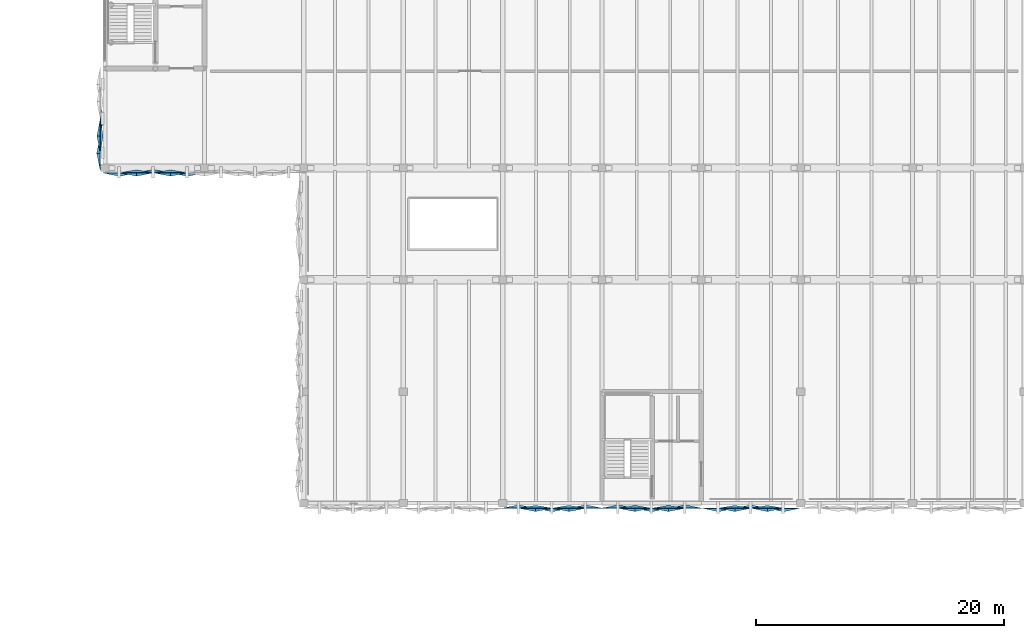
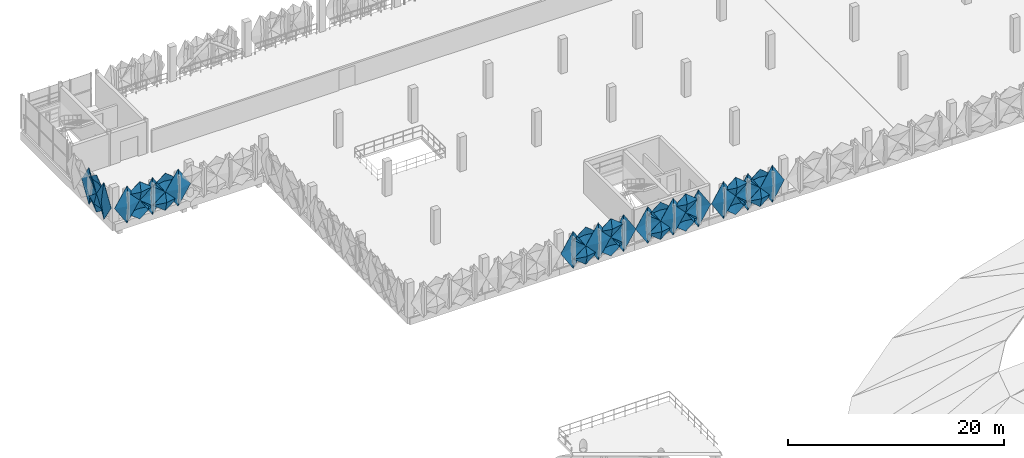
# One storey, part 37 of 52: 32 plates.
"""IFC4 building model written with IfcOpenShell, lengths in metres."""

from ifc_helpers import new_model, si_unit, derived_unit, direction, frame, origin, place, context, subcontext, project, spatial, polygons, material, layer, layer_set, type_object, element, save


model = new_model("IFC4")

# Units and contexts
model_context = context("Model", 3, precision=1e-05, world=origin(), true_north=direction((0.0, 1.0)))
body_context = subcontext(model_context, "Body", "Model", "MODEL_VIEW")
ifc_project = project(units=[si_unit("LENGTHUNIT", "METRE"), si_unit("AREAUNIT", "SQUARE_METRE"), si_unit("VOLUMEUNIT", "CUBIC_METRE"), si_unit("PLANEANGLEUNIT", "RADIAN"), si_unit("MASSUNIT", "GRAM", prefix="KILO"), si_unit("THERMODYNAMICTEMPERATUREUNIT", "KELVIN"), derived_unit("THERMALTRANSMITTANCEUNIT", [(si_unit("POWERUNIT", "WATT"), 1), (si_unit("AREAUNIT", "SQUARE_METRE"), -1), (si_unit("THERMODYNAMICTEMPERATUREUNIT", "KELVIN"), -1)])], contexts=[model_context])

# Site, building, storey
site_placement = place(None, origin())
site = spatial("IfcSite", under=ifc_project, at=site_placement, CompositionType="ELEMENT")
building_placement = place(site_placement, origin())
building = spatial("IfcBuilding", under=site, at=building_placement, Name="Haiyu Intermodal Mobility Hub", CompositionType="ELEMENT")
storey_placement = place(building_placement, frame((0.0, 0.0, 21.199951171875)))
storey = spatial("IfcBuildingStorey", under=building, at=storey_placement, Name="L05", CompositionType="ELEMENT", Elevation=21.199951171875)

# Plates
ifc_material = material(Name="Anodised aluminium 6063-T6", Category="aluminium")
ifc_layer_1 = layer(ifc_material, 0.01806640625)
ifc_layer_set_1 = layer_set([ifc_layer_1], Name="Anodised aluminium 6063-T6")
plate_type_1 = type_object("IfcPlateType", Name="PLT-FC03", PredefinedType="USERDEFINED", material=ifc_layer_set_1)
plate_1_placement = place(storey_placement, origin())
element("IfcPlate", 1, at=plate_1_placement, inside=storey, type_object=plate_type_1, Name="PLT-PYR-0775", ObjectType="FACADE CASSETTE", PredefinedType="USERDEFINED", context=body_context, shape_type="Tessellation", body=[
    polygons([(71.386962890625, 103.60009765625, -0.510009765625), (72.673095703125, 103.60009765625, 1.60009765625), (71.386962890625, 103.60009765625, 3.7099609375), (70.10009765625, 103.60009765625, 1.60009765625), (71.386962890625, 103.320068359375, 1.60009765625), (71.386962890625, 103.6220703125, -0.510009765625), (72.673095703125, 103.6220703125, 1.60009765625), (71.386962890625, 103.6220703125, 3.7099609375), (70.10009765625, 103.6220703125, 1.60009765625), (71.386962890625, 103.342041015625, 1.60009765625)], [[[1, 2, 5]], [[2, 3, 5]], [[3, 4, 5]], [[4, 1, 5]], [[7, 6, 10]], [[8, 7, 10]], [[9, 8, 10]], [[6, 9, 10]], [[1, 6, 7, 2]], [[2, 7, 8, 3]], [[3, 8, 9, 4]], [[4, 9, 6, 1]]], closed=True),
])
plate_2_placement = place(storey_placement, origin())
element("IfcPlate", 2, at=plate_2_placement, inside=storey, type_object=plate_type_1, Name="PLT-PYR-0779", ObjectType="FACADE CASSETTE", PredefinedType="USERDEFINED", context=body_context, shape_type="Tessellation", body=[
    polygons([(75.306884765625, 103.60009765625, -0.52001953125), (76.593017578125, 103.60009765625, 0.530029296875), (75.306884765625, 103.60009765625, 1.580078125), (74.02001953125, 103.60009765625, 0.530029296875), (75.306884765625, 103.340087890625, 0.530029296875), (75.306884765625, 103.6220703125, -0.52001953125), (76.593017578125, 103.6220703125, 0.530029296875), (75.306884765625, 103.6220703125, 1.580078125), (74.02001953125, 103.6220703125, 0.530029296875), (75.306884765625, 103.362060546875, 0.530029296875)], [[[1, 2, 5]], [[2, 3, 5]], [[3, 4, 5]], [[4, 1, 5]], [[7, 6, 10]], [[8, 7, 10]], [[9, 8, 10]], [[6, 9, 10]], [[1, 6, 7, 2]], [[2, 7, 8, 3]], [[3, 8, 9, 4]], [[4, 9, 6, 1]]], closed=True),
])
plate_3_placement = place(storey_placement, origin())
element("IfcPlate", 3, at=plate_3_placement, inside=storey, type_object=plate_type_1, Name="PLT-PYR-2247", ObjectType="FACADE CASSETTE", PredefinedType="USERDEFINED", context=body_context, shape_type="Tessellation", body=[
    polygons([(64.64990234375, 103.60009765625, -0.52001953125), (65.97998046875, 103.60009765625, 0.530029296875), (64.64990234375, 103.60009765625, 1.580078125), (63.320068359375, 103.60009765625, 0.530029296875), (64.64990234375, 103.340087890625, 0.530029296875), (64.64990234375, 103.6220703125, -0.52001953125), (65.97998046875, 103.6220703125, 0.530029296875), (64.64990234375, 103.6220703125, 1.580078125), (63.320068359375, 103.6220703125, 0.530029296875), (64.64990234375, 103.362060546875, 0.530029296875)], [[[1, 2, 5]], [[2, 3, 5]], [[3, 4, 5]], [[4, 1, 5]], [[7, 6, 10]], [[8, 7, 10]], [[9, 8, 10]], [[6, 9, 10]], [[1, 6, 7, 2]], [[2, 7, 8, 3]], [[3, 8, 9, 4]], [[4, 9, 6, 1]]], closed=True),
])
plate_4_placement = place(storey_placement, origin())
element("IfcPlate", 4, at=plate_4_placement, inside=storey, type_object=plate_type_1, Name="PLT-PYR-2320", ObjectType="FACADE CASSETTE", PredefinedType="USERDEFINED", context=body_context, shape_type="Tessellation", body=[
    polygons([(21.60009765625, 133.56689453125, -0.52001953125), (21.60009765625, 132.202880859375, 0.530029296875), (21.60009765625, 133.56689453125, 1.580078125), (21.60009765625, 134.929931640625, 0.530029296875), (21.340087890625, 133.56689453125, 0.530029296875), (21.6220703125, 133.56689453125, -0.52001953125), (21.6220703125, 132.202880859375, 0.530029296875), (21.6220703125, 133.56689453125, 1.580078125), (21.6220703125, 134.929931640625, 0.530029296875), (21.362060546875, 133.56689453125, 0.530029296875)], [[[1, 2, 5]], [[2, 3, 5]], [[3, 4, 5]], [[4, 1, 5]], [[7, 6, 10]], [[8, 7, 10]], [[9, 8, 10]], [[6, 9, 10]], [[1, 6, 7, 2]], [[2, 7, 8, 3]], [[3, 8, 9, 4]], [[4, 9, 6, 1]]], closed=True),
])
plate_5_placement = place(storey_placement, origin())
element("IfcPlate", 5, at=plate_5_placement, inside=storey, type_object=plate_type_1, Name="PLT-PYR-2419", ObjectType="FACADE CASSETTE", PredefinedType="USERDEFINED", context=body_context, shape_type="Tessellation", body=[
    polygons([(23.1669921875, 130.60009765625, -0.510009765625), (24.512939453125, 130.60009765625, 1.60009765625), (23.1669921875, 130.60009765625, 3.7099609375), (21.820068359375, 130.60009765625, 1.60009765625), (23.1669921875, 130.320068359375, 1.60009765625), (23.1669921875, 130.6220703125, -0.510009765625), (24.512939453125, 130.6220703125, 1.60009765625), (23.1669921875, 130.6220703125, 3.7099609375), (21.820068359375, 130.6220703125, 1.60009765625), (23.1669921875, 130.342041015625, 1.60009765625)], [[[1, 2, 5]], [[2, 3, 5]], [[3, 4, 5]], [[4, 1, 5]], [[7, 6, 10]], [[8, 7, 10]], [[9, 8, 10]], [[6, 9, 10]], [[1, 6, 7, 2]], [[2, 7, 8, 3]], [[3, 8, 9, 4]], [[4, 9, 6, 1]]], closed=True),
])
plate_6_placement = place(storey_placement, origin())
element("IfcPlate", 6, at=plate_6_placement, inside=storey, type_object=plate_type_1, Name="PLT-PYR-2423", ObjectType="FACADE CASSETTE", PredefinedType="USERDEFINED", context=body_context, shape_type="Tessellation", body=[
    polygons([(27.26708984375, 130.60009765625, -0.52001953125), (28.613037109375, 130.60009765625, 0.530029296875), (27.26708984375, 130.60009765625, 1.580078125), (25.919921875, 130.60009765625, 0.530029296875), (27.26708984375, 130.340087890625, 0.530029296875), (27.26708984375, 130.6220703125, -0.52001953125), (28.613037109375, 130.6220703125, 0.530029296875), (27.26708984375, 130.6220703125, 1.580078125), (25.919921875, 130.6220703125, 0.530029296875), (27.26708984375, 130.362060546875, 0.530029296875)], [[[1, 2, 5]], [[2, 3, 5]], [[3, 4, 5]], [[4, 1, 5]], [[7, 6, 10]], [[8, 7, 10]], [[9, 8, 10]], [[6, 9, 10]], [[1, 6, 7, 2]], [[2, 7, 8, 3]], [[3, 8, 9, 4]], [[4, 9, 6, 1]]], closed=True),
])
plate_7_placement = place(storey_placement, origin())
element("IfcPlate", 7, at=plate_7_placement, inside=storey, type_object=plate_type_1, Name="PLT-PYR-2571", ObjectType="FACADE CASSETTE", PredefinedType="USERDEFINED", context=body_context, shape_type="Tessellation", body=[
    polygons([(56.64990234375, 103.60009765625, -0.52001953125), (57.97998046875, 103.60009765625, 0.530029296875), (56.64990234375, 103.60009765625, 1.580078125), (55.320068359375, 103.60009765625, 0.530029296875), (56.64990234375, 103.340087890625, 0.530029296875), (56.64990234375, 103.6220703125, -0.52001953125), (57.97998046875, 103.6220703125, 0.530029296875), (56.64990234375, 103.6220703125, 1.580078125), (55.320068359375, 103.6220703125, 0.530029296875), (56.64990234375, 103.362060546875, 0.530029296875)], [[[1, 2, 5]], [[2, 3, 5]], [[3, 4, 5]], [[4, 1, 5]], [[7, 6, 10]], [[8, 7, 10]], [[9, 8, 10]], [[6, 9, 10]], [[1, 6, 7, 2]], [[2, 7, 8, 3]], [[3, 8, 9, 4]], [[4, 9, 6, 1]]], closed=True),
])
ifc_layer_2 = layer(ifc_material, 0.02001953125)
ifc_layer_set_2 = layer_set([ifc_layer_2], Name="Anodised aluminium 6063-T6")
plate_type_2 = type_object("IfcPlateType", Name="PLT-FC04", PredefinedType="USERDEFINED", material=ifc_layer_set_2)
plate_8_placement = place(storey_placement, origin())
element("IfcPlate", 8, at=plate_8_placement, inside=storey, type_object=plate_type_2, Name="PLT-PYR-0776", ObjectType="FACADE CASSETTE", PredefinedType="USERDEFINED", context=body_context, shape_type="Tessellation", body=[
    polygons([(72.693115234375, 103.60009765625, -0.52001953125), (73.97998046875, 103.60009765625, 0.530029296875), (72.693115234375, 103.60009765625, 1.580078125), (71.406982421875, 103.60009765625, 0.530029296875), (72.693115234375, 103.820068359375, 0.530029296875), (72.693115234375, 103.6220703125, -0.52001953125), (73.97998046875, 103.6220703125, 0.530029296875), (72.693115234375, 103.6220703125, 1.580078125), (71.406982421875, 103.6220703125, 0.530029296875), (72.693115234375, 103.842041015625, 0.530029296875)], [[[1, 2, 5]], [[2, 3, 5]], [[3, 4, 5]], [[4, 1, 5]], [[7, 6, 10]], [[8, 7, 10]], [[9, 8, 10]], [[6, 9, 10]], [[1, 6, 7, 2]], [[2, 7, 8, 3]], [[3, 8, 9, 4]], [[4, 9, 6, 1]]], closed=True),
])
plate_9_placement = place(storey_placement, origin())
element("IfcPlate", 9, at=plate_9_placement, inside=storey, type_object=plate_type_2, Name="PLT-PYR-2246", ObjectType="FACADE CASSETTE", PredefinedType="USERDEFINED", context=body_context, shape_type="Tessellation", body=[
    polygons([(63.300048828125, 103.60009765625, -0.510009765625), (64.6298828125, 103.60009765625, 1.60009765625), (63.300048828125, 103.60009765625, 3.7099609375), (61.969970703125, 103.60009765625, 1.60009765625), (63.300048828125, 103.860107421875, 1.60009765625), (63.300048828125, 103.6220703125, -0.510009765625), (64.6298828125, 103.6220703125, 1.60009765625), (63.300048828125, 103.6220703125, 3.7099609375), (61.969970703125, 103.6220703125, 1.60009765625), (63.300048828125, 103.882080078125, 1.60009765625)], [[[1, 2, 5]], [[2, 3, 5]], [[3, 4, 5]], [[4, 1, 5]], [[7, 6, 10]], [[8, 7, 10]], [[9, 8, 10]], [[6, 9, 10]], [[1, 6, 7, 2]], [[2, 7, 8, 3]], [[3, 8, 9, 4]], [[4, 9, 6, 1]]], closed=True),
])
plate_10_placement = place(storey_placement, origin())
element("IfcPlate", 10, at=plate_10_placement, inside=storey, type_object=plate_type_2, Name="PLT-PYR-2250", ObjectType="FACADE CASSETTE", PredefinedType="USERDEFINED", context=body_context, shape_type="Tessellation", body=[
    polygons([(67.35009765625, 103.60009765625, -0.52001953125), (68.679931640625, 103.60009765625, 0.530029296875), (67.35009765625, 103.60009765625, 1.580078125), (66.02001953125, 103.60009765625, 0.530029296875), (67.35009765625, 103.820068359375, 0.530029296875), (67.35009765625, 103.6220703125, -0.52001953125), (68.679931640625, 103.6220703125, 0.530029296875), (67.35009765625, 103.6220703125, 1.580078125), (66.02001953125, 103.6220703125, 0.530029296875), (67.35009765625, 103.842041015625, 0.530029296875)], [[[1, 2, 5]], [[2, 3, 5]], [[3, 4, 5]], [[4, 1, 5]], [[7, 6, 10]], [[8, 7, 10]], [[9, 8, 10]], [[6, 9, 10]], [[1, 6, 7, 2]], [[2, 7, 8, 3]], [[3, 8, 9, 4]], [[4, 9, 6, 1]]], closed=True),
])
plate_11_placement = place(storey_placement, origin())
element("IfcPlate", 11, at=plate_11_placement, inside=storey, type_object=plate_type_2, Name="PLT-PYR-2420", ObjectType="FACADE CASSETTE", PredefinedType="USERDEFINED", context=body_context, shape_type="Tessellation", body=[
    polygons([(24.532958984375, 130.60009765625, -0.52001953125), (25.8798828125, 130.60009765625, 0.530029296875), (24.532958984375, 130.60009765625, 1.580078125), (23.18701171875, 130.60009765625, 0.530029296875), (24.532958984375, 130.820068359375, 0.530029296875), (24.532958984375, 130.6220703125, -0.52001953125), (25.8798828125, 130.6220703125, 0.530029296875), (24.532958984375, 130.6220703125, 1.580078125), (23.18701171875, 130.6220703125, 0.530029296875), (24.532958984375, 130.842041015625, 0.530029296875)], [[[1, 2, 5]], [[2, 3, 5]], [[3, 4, 5]], [[4, 1, 5]], [[7, 6, 10]], [[8, 7, 10]], [[9, 8, 10]], [[6, 9, 10]], [[1, 6, 7, 2]], [[2, 7, 8, 3]], [[3, 8, 9, 4]], [[4, 9, 6, 1]]], closed=True),
])
plate_12_placement = place(storey_placement, origin())
element("IfcPlate", 12, at=plate_12_placement, inside=storey, type_object=plate_type_2, Name="PLT-PYR-2570", ObjectType="FACADE CASSETTE", PredefinedType="USERDEFINED", context=body_context, shape_type="Tessellation", body=[
    polygons([(55.300048828125, 103.60009765625, -0.510009765625), (56.6298828125, 103.60009765625, 1.60009765625), (55.300048828125, 103.60009765625, 3.7099609375), (53.969970703125, 103.60009765625, 1.60009765625), (55.300048828125, 103.860107421875, 1.60009765625), (55.300048828125, 103.6220703125, -0.510009765625), (56.6298828125, 103.6220703125, 1.60009765625), (55.300048828125, 103.6220703125, 3.7099609375), (53.969970703125, 103.6220703125, 1.60009765625), (55.300048828125, 103.882080078125, 1.60009765625)], [[[1, 2, 5]], [[2, 3, 5]], [[3, 4, 5]], [[4, 1, 5]], [[7, 6, 10]], [[8, 7, 10]], [[9, 8, 10]], [[6, 9, 10]], [[1, 6, 7, 2]], [[2, 7, 8, 3]], [[3, 8, 9, 4]], [[4, 9, 6, 1]]], closed=True),
])
plate_13_placement = place(storey_placement, origin())
element("IfcPlate", 13, at=plate_13_placement, inside=storey, type_object=plate_type_2, Name="PLT-PYR-2574", ObjectType="FACADE CASSETTE", PredefinedType="USERDEFINED", context=body_context, shape_type="Tessellation", body=[
    polygons([(59.35009765625, 103.60009765625, -0.52001953125), (60.679931640625, 103.60009765625, 0.530029296875), (59.35009765625, 103.60009765625, 1.580078125), (58.02001953125, 103.60009765625, 0.530029296875), (59.35009765625, 103.820068359375, 0.530029296875), (59.35009765625, 103.6220703125, -0.52001953125), (60.679931640625, 103.6220703125, 0.530029296875), (59.35009765625, 103.6220703125, 1.580078125), (58.02001953125, 103.6220703125, 0.530029296875), (59.35009765625, 103.842041015625, 0.530029296875)], [[[1, 2, 5]], [[2, 3, 5]], [[3, 4, 5]], [[4, 1, 5]], [[7, 6, 10]], [[8, 7, 10]], [[9, 8, 10]], [[6, 9, 10]], [[1, 6, 7, 2]], [[2, 7, 8, 3]], [[3, 8, 9, 4]], [[4, 9, 6, 1]]], closed=True),
])
ifc_layer_3 = layer(ifc_material, 0.01806640625)
ifc_layer_set_3 = layer_set([ifc_layer_3], Name="Anodised aluminium 6063-T6")
plate_type_3 = type_object("IfcPlateType", Name="PLT-FC05", PredefinedType="USERDEFINED", material=ifc_layer_set_3)
plate_14_placement = place(storey_placement, origin())
element("IfcPlate", 14, at=plate_14_placement, inside=storey, type_object=plate_type_3, Name="PLT-PYR-0777", ObjectType="FACADE CASSETTE", PredefinedType="USERDEFINED", context=body_context, shape_type="Tessellation", body=[
    polygons([(72.693115234375, 103.60009765625, 1.6201171875), (73.97998046875, 103.60009765625, 2.670166015625), (72.693115234375, 103.60009765625, 3.719970703125), (71.406982421875, 103.60009765625, 2.670166015625), (72.693115234375, 103.340087890625, 2.670166015625), (72.693115234375, 103.6220703125, 1.6201171875), (73.97998046875, 103.6220703125, 2.670166015625), (72.693115234375, 103.6220703125, 3.719970703125), (71.406982421875, 103.6220703125, 2.670166015625), (72.693115234375, 103.362060546875, 2.670166015625)], [[[1, 2, 5]], [[2, 3, 5]], [[3, 4, 5]], [[4, 1, 5]], [[7, 6, 10]], [[8, 7, 10]], [[9, 8, 10]], [[6, 9, 10]], [[1, 6, 7, 2]], [[2, 7, 8, 3]], [[3, 8, 9, 4]], [[4, 9, 6, 1]]], closed=True),
])
plate_15_placement = place(storey_placement, origin())
element("IfcPlate", 15, at=plate_15_placement, inside=storey, type_object=plate_type_3, Name="PLT-PYR-2249", ObjectType="FACADE CASSETTE", PredefinedType="USERDEFINED", context=body_context, shape_type="Tessellation", body=[
    polygons([(66.0, 103.60009765625, -0.510009765625), (67.330078125, 103.60009765625, 1.60009765625), (66.0, 103.60009765625, 3.7099609375), (64.669921875, 103.60009765625, 1.60009765625), (66.0, 103.320068359375, 1.60009765625), (66.0, 103.6220703125, -0.510009765625), (67.330078125, 103.6220703125, 1.60009765625), (66.0, 103.6220703125, 3.7099609375), (64.669921875, 103.6220703125, 1.60009765625), (66.0, 103.342041015625, 1.60009765625)], [[[1, 2, 5]], [[2, 3, 5]], [[3, 4, 5]], [[4, 1, 5]], [[7, 6, 10]], [[8, 7, 10]], [[9, 8, 10]], [[6, 9, 10]], [[1, 6, 7, 2]], [[2, 7, 8, 3]], [[3, 8, 9, 4]], [[4, 9, 6, 1]]], closed=True),
])
plate_16_placement = place(storey_placement, origin())
element("IfcPlate", 16, at=plate_16_placement, inside=storey, type_object=plate_type_3, Name="PLT-PYR-2251", ObjectType="FACADE CASSETTE", PredefinedType="USERDEFINED", context=body_context, shape_type="Tessellation", body=[
    polygons([(67.35009765625, 103.60009765625, 1.6201171875), (68.679931640625, 103.60009765625, 2.670166015625), (67.35009765625, 103.60009765625, 3.719970703125), (66.02001953125, 103.60009765625, 2.670166015625), (67.35009765625, 103.340087890625, 2.670166015625), (67.35009765625, 103.6220703125, 1.6201171875), (68.679931640625, 103.6220703125, 2.670166015625), (67.35009765625, 103.6220703125, 3.719970703125), (66.02001953125, 103.6220703125, 2.670166015625), (67.35009765625, 103.362060546875, 2.670166015625)], [[[1, 2, 5]], [[2, 3, 5]], [[3, 4, 5]], [[4, 1, 5]], [[7, 6, 10]], [[8, 7, 10]], [[9, 8, 10]], [[6, 9, 10]], [[1, 6, 7, 2]], [[2, 7, 8, 3]], [[3, 8, 9, 4]], [[4, 9, 6, 1]]], closed=True),
])
plate_17_placement = place(storey_placement, origin())
element("IfcPlate", 17, at=plate_17_placement, inside=storey, type_object=plate_type_3, Name="PLT-PYR-2421", ObjectType="FACADE CASSETTE", PredefinedType="USERDEFINED", context=body_context, shape_type="Tessellation", body=[
    polygons([(24.532958984375, 130.60009765625, 1.6201171875), (25.8798828125, 130.60009765625, 2.670166015625), (24.532958984375, 130.60009765625, 3.719970703125), (23.18701171875, 130.60009765625, 2.670166015625), (24.532958984375, 130.340087890625, 2.670166015625), (24.532958984375, 130.6220703125, 1.6201171875), (25.8798828125, 130.6220703125, 2.670166015625), (24.532958984375, 130.6220703125, 3.719970703125), (23.18701171875, 130.6220703125, 2.670166015625), (24.532958984375, 130.362060546875, 2.670166015625)], [[[1, 2, 5]], [[2, 3, 5]], [[3, 4, 5]], [[4, 1, 5]], [[7, 6, 10]], [[8, 7, 10]], [[9, 8, 10]], [[6, 9, 10]], [[1, 6, 7, 2]], [[2, 7, 8, 3]], [[3, 8, 9, 4]], [[4, 9, 6, 1]]], closed=True),
])
plate_18_placement = place(storey_placement, origin())
element("IfcPlate", 18, at=plate_18_placement, inside=storey, type_object=plate_type_3, Name="PLT-PYR-2573", ObjectType="FACADE CASSETTE", PredefinedType="USERDEFINED", context=body_context, shape_type="Tessellation", body=[
    polygons([(58.0, 103.60009765625, -0.510009765625), (59.330078125, 103.60009765625, 1.60009765625), (58.0, 103.60009765625, 3.7099609375), (56.669921875, 103.60009765625, 1.60009765625), (58.0, 103.320068359375, 1.60009765625), (58.0, 103.6220703125, -0.510009765625), (59.330078125, 103.6220703125, 1.60009765625), (58.0, 103.6220703125, 3.7099609375), (56.669921875, 103.6220703125, 1.60009765625), (58.0, 103.342041015625, 1.60009765625)], [[[1, 2, 5]], [[2, 3, 5]], [[3, 4, 5]], [[4, 1, 5]], [[7, 6, 10]], [[8, 7, 10]], [[9, 8, 10]], [[6, 9, 10]], [[1, 6, 7, 2]], [[2, 7, 8, 3]], [[3, 8, 9, 4]], [[4, 9, 6, 1]]], closed=True),
])
plate_19_placement = place(storey_placement, origin())
element("IfcPlate", 19, at=plate_19_placement, inside=storey, type_object=plate_type_3, Name="PLT-PYR-2575", ObjectType="FACADE CASSETTE", PredefinedType="USERDEFINED", context=body_context, shape_type="Tessellation", body=[
    polygons([(59.35009765625, 103.60009765625, 1.6201171875), (60.679931640625, 103.60009765625, 2.670166015625), (59.35009765625, 103.60009765625, 3.719970703125), (58.02001953125, 103.60009765625, 2.670166015625), (59.35009765625, 103.340087890625, 2.670166015625), (59.35009765625, 103.6220703125, 1.6201171875), (60.679931640625, 103.6220703125, 2.670166015625), (59.35009765625, 103.6220703125, 3.719970703125), (58.02001953125, 103.6220703125, 2.670166015625), (59.35009765625, 103.362060546875, 2.670166015625)], [[[1, 2, 5]], [[2, 3, 5]], [[3, 4, 5]], [[4, 1, 5]], [[7, 6, 10]], [[8, 7, 10]], [[9, 8, 10]], [[6, 9, 10]], [[1, 6, 7, 2]], [[2, 7, 8, 3]], [[3, 8, 9, 4]], [[4, 9, 6, 1]]], closed=True),
])
ifc_layer_4 = layer(ifc_material, 0.02001953125)
ifc_layer_set_4 = layer_set([ifc_layer_4], Name="Anodised aluminium 6063-T6")
plate_type_4 = type_object("IfcPlateType", Name="PLT-FC06", PredefinedType="USERDEFINED", material=ifc_layer_set_4)
plate_20_placement = place(storey_placement, origin())
element("IfcPlate", 20, at=plate_20_placement, inside=storey, type_object=plate_type_4, Name="PLT-PYR-0778", ObjectType="FACADE CASSETTE", PredefinedType="USERDEFINED", context=body_context, shape_type="Tessellation", body=[
    polygons([(74.0, 103.60009765625, -0.510009765625), (75.287109375, 103.60009765625, 1.60009765625), (74.0, 103.60009765625, 3.7099609375), (72.712890625, 103.60009765625, 1.60009765625), (74.0, 103.860107421875, 1.60009765625), (74.0, 103.6220703125, -0.510009765625), (75.287109375, 103.6220703125, 1.60009765625), (74.0, 103.6220703125, 3.7099609375), (72.712890625, 103.6220703125, 1.60009765625), (74.0, 103.882080078125, 1.60009765625)], [[[1, 2, 5]], [[2, 3, 5]], [[3, 4, 5]], [[4, 1, 5]], [[7, 6, 10]], [[8, 7, 10]], [[9, 8, 10]], [[6, 9, 10]], [[1, 6, 7, 2]], [[2, 7, 8, 3]], [[3, 8, 9, 4]], [[4, 9, 6, 1]]], closed=True),
])
plate_21_placement = place(storey_placement, origin())
element("IfcPlate", 21, at=plate_21_placement, inside=storey, type_object=plate_type_4, Name="PLT-PYR-0780", ObjectType="FACADE CASSETTE", PredefinedType="USERDEFINED", context=body_context, shape_type="Tessellation", body=[
    polygons([(75.306884765625, 103.60009765625, 1.6201171875), (76.593017578125, 103.60009765625, 2.670166015625), (75.306884765625, 103.60009765625, 3.719970703125), (74.02001953125, 103.60009765625, 2.670166015625), (75.306884765625, 103.820068359375, 2.670166015625), (75.306884765625, 103.6220703125, 1.6201171875), (76.593017578125, 103.6220703125, 2.670166015625), (75.306884765625, 103.6220703125, 3.719970703125), (74.02001953125, 103.6220703125, 2.670166015625), (75.306884765625, 103.842041015625, 2.670166015625)], [[[1, 2, 5]], [[2, 3, 5]], [[3, 4, 5]], [[4, 1, 5]], [[7, 6, 10]], [[8, 7, 10]], [[9, 8, 10]], [[6, 9, 10]], [[1, 6, 7, 2]], [[2, 7, 8, 3]], [[3, 8, 9, 4]], [[4, 9, 6, 1]]], closed=True),
])
plate_22_placement = place(storey_placement, origin())
element("IfcPlate", 22, at=plate_22_placement, inside=storey, type_object=plate_type_4, Name="PLT-PYR-2248", ObjectType="FACADE CASSETTE", PredefinedType="USERDEFINED", context=body_context, shape_type="Tessellation", body=[
    polygons([(64.64990234375, 103.60009765625, 1.6201171875), (65.97998046875, 103.60009765625, 2.670166015625), (64.64990234375, 103.60009765625, 3.719970703125), (63.320068359375, 103.60009765625, 2.670166015625), (64.64990234375, 103.820068359375, 2.670166015625), (64.64990234375, 103.6220703125, 1.6201171875), (65.97998046875, 103.6220703125, 2.670166015625), (64.64990234375, 103.6220703125, 3.719970703125), (63.320068359375, 103.6220703125, 2.670166015625), (64.64990234375, 103.842041015625, 2.670166015625)], [[[1, 2, 5]], [[2, 3, 5]], [[3, 4, 5]], [[4, 1, 5]], [[7, 6, 10]], [[8, 7, 10]], [[9, 8, 10]], [[6, 9, 10]], [[1, 6, 7, 2]], [[2, 7, 8, 3]], [[3, 8, 9, 4]], [[4, 9, 6, 1]]], closed=True),
])
plate_23_placement = place(storey_placement, origin())
element("IfcPlate", 23, at=plate_23_placement, inside=storey, type_object=plate_type_4, Name="PLT-PYR-2319", ObjectType="FACADE CASSETTE", PredefinedType="USERDEFINED", context=body_context, shape_type="Tessellation", body=[
    polygons([(21.60009765625, 134.949951171875, -0.510009765625), (21.60009765625, 133.5869140625, 1.60009765625), (21.60009765625, 134.949951171875, 3.7099609375), (21.60009765625, 136.31298828125, 1.60009765625), (21.860107421875, 134.949951171875, 1.60009765625), (21.6220703125, 134.949951171875, -0.510009765625), (21.6220703125, 133.5869140625, 1.60009765625), (21.6220703125, 134.949951171875, 3.7099609375), (21.6220703125, 136.31298828125, 1.60009765625), (21.882080078125, 134.949951171875, 1.60009765625)], [[[1, 2, 5]], [[2, 3, 5]], [[3, 4, 5]], [[4, 1, 5]], [[7, 6, 10]], [[8, 7, 10]], [[9, 8, 10]], [[6, 9, 10]], [[1, 6, 7, 2]], [[2, 7, 8, 3]], [[3, 8, 9, 4]], [[4, 9, 6, 1]]], closed=True),
])
plate_24_placement = place(storey_placement, origin())
element("IfcPlate", 24, at=plate_24_placement, inside=storey, type_object=plate_type_4, Name="PLT-PYR-2321", ObjectType="FACADE CASSETTE", PredefinedType="USERDEFINED", context=body_context, shape_type="Tessellation", body=[
    polygons([(21.60009765625, 133.56689453125, 1.6201171875), (21.60009765625, 132.202880859375, 2.670166015625), (21.60009765625, 133.56689453125, 3.719970703125), (21.60009765625, 134.929931640625, 2.670166015625), (21.820068359375, 133.56689453125, 2.670166015625), (21.6220703125, 133.56689453125, 1.6201171875), (21.6220703125, 132.202880859375, 2.670166015625), (21.6220703125, 133.56689453125, 3.719970703125), (21.6220703125, 134.929931640625, 2.670166015625), (21.842041015625, 133.56689453125, 2.670166015625)], [[[1, 2, 5]], [[2, 3, 5]], [[3, 4, 5]], [[4, 1, 5]], [[7, 6, 10]], [[8, 7, 10]], [[9, 8, 10]], [[6, 9, 10]], [[1, 6, 7, 2]], [[2, 7, 8, 3]], [[3, 8, 9, 4]], [[4, 9, 6, 1]]], closed=True),
])
plate_25_placement = place(storey_placement, origin())
element("IfcPlate", 25, at=plate_25_placement, inside=storey, type_object=plate_type_4, Name="PLT-PYR-2422", ObjectType="FACADE CASSETTE", PredefinedType="USERDEFINED", context=body_context, shape_type="Tessellation", body=[
    polygons([(25.89990234375, 130.60009765625, -0.510009765625), (27.2470703125, 130.60009765625, 1.60009765625), (25.89990234375, 130.60009765625, 3.7099609375), (24.552978515625, 130.60009765625, 1.60009765625), (25.89990234375, 130.860107421875, 1.60009765625), (25.89990234375, 130.6220703125, -0.510009765625), (27.2470703125, 130.6220703125, 1.60009765625), (25.89990234375, 130.6220703125, 3.7099609375), (24.552978515625, 130.6220703125, 1.60009765625), (25.89990234375, 130.882080078125, 1.60009765625)], [[[1, 2, 5]], [[2, 3, 5]], [[3, 4, 5]], [[4, 1, 5]], [[7, 6, 10]], [[8, 7, 10]], [[9, 8, 10]], [[6, 9, 10]], [[1, 6, 7, 2]], [[2, 7, 8, 3]], [[3, 8, 9, 4]], [[4, 9, 6, 1]]], closed=True),
])
plate_26_placement = place(storey_placement, origin())
element("IfcPlate", 26, at=plate_26_placement, inside=storey, type_object=plate_type_4, Name="PLT-PYR-2424", ObjectType="FACADE CASSETTE", PredefinedType="USERDEFINED", context=body_context, shape_type="Tessellation", body=[
    polygons([(27.26708984375, 130.60009765625, 1.6201171875), (28.613037109375, 130.60009765625, 2.670166015625), (27.26708984375, 130.60009765625, 3.719970703125), (25.919921875, 130.60009765625, 2.670166015625), (27.26708984375, 130.820068359375, 2.670166015625), (27.26708984375, 130.6220703125, 1.6201171875), (28.613037109375, 130.6220703125, 2.670166015625), (27.26708984375, 130.6220703125, 3.719970703125), (25.919921875, 130.6220703125, 2.670166015625), (27.26708984375, 130.842041015625, 2.670166015625)], [[[1, 2, 5]], [[2, 3, 5]], [[3, 4, 5]], [[4, 1, 5]], [[7, 6, 10]], [[8, 7, 10]], [[9, 8, 10]], [[6, 9, 10]], [[1, 6, 7, 2]], [[2, 7, 8, 3]], [[3, 8, 9, 4]], [[4, 9, 6, 1]]], closed=True),
])
plate_27_placement = place(storey_placement, origin())
element("IfcPlate", 27, at=plate_27_placement, inside=storey, type_object=plate_type_4, Name="PLT-PYR-2572", ObjectType="FACADE CASSETTE", PredefinedType="USERDEFINED", context=body_context, shape_type="Tessellation", body=[
    polygons([(56.64990234375, 103.60009765625, 1.6201171875), (57.97998046875, 103.60009765625, 2.670166015625), (56.64990234375, 103.60009765625, 3.719970703125), (55.320068359375, 103.60009765625, 2.670166015625), (56.64990234375, 103.820068359375, 2.670166015625), (56.64990234375, 103.6220703125, 1.6201171875), (57.97998046875, 103.6220703125, 2.670166015625), (56.64990234375, 103.6220703125, 3.719970703125), (55.320068359375, 103.6220703125, 2.670166015625), (56.64990234375, 103.842041015625, 2.670166015625)], [[[1, 2, 5]], [[2, 3, 5]], [[3, 4, 5]], [[4, 1, 5]], [[7, 6, 10]], [[8, 7, 10]], [[9, 8, 10]], [[6, 9, 10]], [[1, 6, 7, 2]], [[2, 7, 8, 3]], [[3, 8, 9, 4]], [[4, 9, 6, 1]]], closed=True),
])
ifc_layer_5 = layer(ifc_material, 0.02197265625)
ifc_layer_set_5 = layer_set([ifc_layer_5], Name="Anodised aluminium 6063-T6")
plate_type_5 = type_object("IfcPlateType", Name="PLT-FC07", PredefinedType="USERDEFINED", material=ifc_layer_set_5)
plate_28_placement = place(storey_placement, origin())
element("IfcPlate", 28, at=plate_28_placement, inside=storey, type_object=plate_type_5, Name="PLT-PYR-0781", ObjectType="FACADE CASSETTE", PredefinedType="USERDEFINED", context=body_context, shape_type="Tessellation", body=[
    polygons([(76.613037109375, 103.60009765625, -0.510009765625), (77.89990234375, 103.60009765625, 1.60009765625), (76.613037109375, 103.60009765625, 3.7099609375), (75.326904296875, 103.60009765625, 1.60009765625), (76.613037109375, 103.320068359375, 1.60009765625), (76.613037109375, 103.6220703125, -0.510009765625), (77.89990234375, 103.6220703125, 1.60009765625), (76.613037109375, 103.6220703125, 3.7099609375), (75.326904296875, 103.6220703125, 1.60009765625), (76.613037109375, 103.342041015625, 1.60009765625)], [[[1, 2, 5]], [[2, 3, 5]], [[3, 4, 5]], [[4, 1, 5]], [[7, 6, 10]], [[8, 7, 10]], [[9, 8, 10]], [[6, 9, 10]], [[1, 6, 7, 2]], [[2, 7, 8, 3]], [[3, 8, 9, 4]], [[4, 9, 6, 1]]], closed=True),
])
plate_29_placement = place(storey_placement, origin())
element("IfcPlate", 29, at=plate_29_placement, inside=storey, type_object=plate_type_5, Name="PLT-PYR-2322", ObjectType="FACADE CASSETTE", PredefinedType="USERDEFINED", context=body_context, shape_type="Tessellation", body=[
    polygons([(21.60009765625, 132.18310546875, -0.510009765625), (21.60009765625, 130.820068359375, 1.60009765625), (21.60009765625, 132.18310546875, 3.7099609375), (21.60009765625, 133.547119140625, 1.60009765625), (21.320068359375, 132.18310546875, 1.60009765625), (21.6220703125, 132.18310546875, -0.510009765625), (21.6220703125, 130.820068359375, 1.60009765625), (21.6220703125, 132.18310546875, 3.7099609375), (21.6220703125, 133.547119140625, 1.60009765625), (21.342041015625, 132.18310546875, 1.60009765625)], [[[1, 2, 5]], [[2, 3, 5]], [[3, 4, 5]], [[4, 1, 5]], [[7, 6, 10]], [[8, 7, 10]], [[9, 8, 10]], [[6, 9, 10]], [[1, 6, 7, 2]], [[2, 7, 8, 3]], [[3, 8, 9, 4]], [[4, 9, 6, 1]]], closed=True),
])
plate_30_placement = place(storey_placement, origin())
element("IfcPlate", 30, at=plate_30_placement, inside=storey, type_object=plate_type_5, Name="PLT-PYR-2425", ObjectType="FACADE CASSETTE", PredefinedType="USERDEFINED", context=body_context, shape_type="Tessellation", body=[
    polygons([(28.633056640625, 130.60009765625, -0.510009765625), (29.97998046875, 130.60009765625, 1.60009765625), (28.633056640625, 130.60009765625, 3.7099609375), (27.287109375, 130.60009765625, 1.60009765625), (28.633056640625, 130.320068359375, 1.60009765625), (28.633056640625, 130.6220703125, -0.510009765625), (29.97998046875, 130.6220703125, 1.60009765625), (28.633056640625, 130.6220703125, 3.7099609375), (27.287109375, 130.6220703125, 1.60009765625), (28.633056640625, 130.342041015625, 1.60009765625)], [[[1, 2, 5]], [[2, 3, 5]], [[3, 4, 5]], [[4, 1, 5]], [[7, 6, 10]], [[8, 7, 10]], [[9, 8, 10]], [[6, 9, 10]], [[1, 6, 7, 2]], [[2, 7, 8, 3]], [[3, 8, 9, 4]], [[4, 9, 6, 1]]], closed=True),
])
ifc_layer_6 = layer(ifc_material, 0.02392578125)
ifc_layer_set_6 = layer_set([ifc_layer_6], Name="Anodised aluminium 6063-T6")
plate_type_6 = type_object("IfcPlateType", Name="PLT-FC08", PredefinedType="USERDEFINED", material=ifc_layer_set_6)
plate_31_placement = place(storey_placement, origin())
element("IfcPlate", 31, at=plate_31_placement, inside=storey, type_object=plate_type_6, Name="PLT-PYR-2252", ObjectType="FACADE CASSETTE", PredefinedType="USERDEFINED", context=body_context, shape_type="Tessellation", body=[
    polygons([(68.699951171875, 103.60009765625, -0.510009765625), (70.030029296875, 103.60009765625, 1.60009765625), (68.699951171875, 103.60009765625, 3.7099609375), (67.3701171875, 103.60009765625, 1.60009765625), (68.699951171875, 103.860107421875, 1.60009765625), (68.699951171875, 103.6220703125, -0.510009765625), (70.030029296875, 103.6220703125, 1.60009765625), (68.699951171875, 103.6220703125, 3.7099609375), (67.3701171875, 103.6220703125, 1.60009765625), (68.699951171875, 103.882080078125, 1.60009765625)], [[[1, 2, 5]], [[2, 3, 5]], [[3, 4, 5]], [[4, 1, 5]], [[7, 6, 10]], [[8, 7, 10]], [[9, 8, 10]], [[6, 9, 10]], [[1, 6, 7, 2]], [[2, 7, 8, 3]], [[3, 8, 9, 4]], [[4, 9, 6, 1]]], closed=True),
])
plate_32_placement = place(storey_placement, origin())
element("IfcPlate", 32, at=plate_32_placement, inside=storey, type_object=plate_type_6, Name="PLT-PYR-2576", ObjectType="FACADE CASSETTE", PredefinedType="USERDEFINED", context=body_context, shape_type="Tessellation", body=[
    polygons([(60.699951171875, 103.60009765625, -0.510009765625), (62.030029296875, 103.60009765625, 1.60009765625), (60.699951171875, 103.60009765625, 3.7099609375), (59.3701171875, 103.60009765625, 1.60009765625), (60.699951171875, 103.860107421875, 1.60009765625), (60.699951171875, 103.6220703125, -0.510009765625), (62.030029296875, 103.6220703125, 1.60009765625), (60.699951171875, 103.6220703125, 3.7099609375), (59.3701171875, 103.6220703125, 1.60009765625), (60.699951171875, 103.882080078125, 1.60009765625)], [[[1, 2, 5]], [[2, 3, 5]], [[3, 4, 5]], [[4, 1, 5]], [[7, 6, 10]], [[8, 7, 10]], [[9, 8, 10]], [[6, 9, 10]], [[1, 6, 7, 2]], [[2, 7, 8, 3]], [[3, 8, 9, 4]], [[4, 9, 6, 1]]], closed=True),
])

save(model, "model.ifc")
